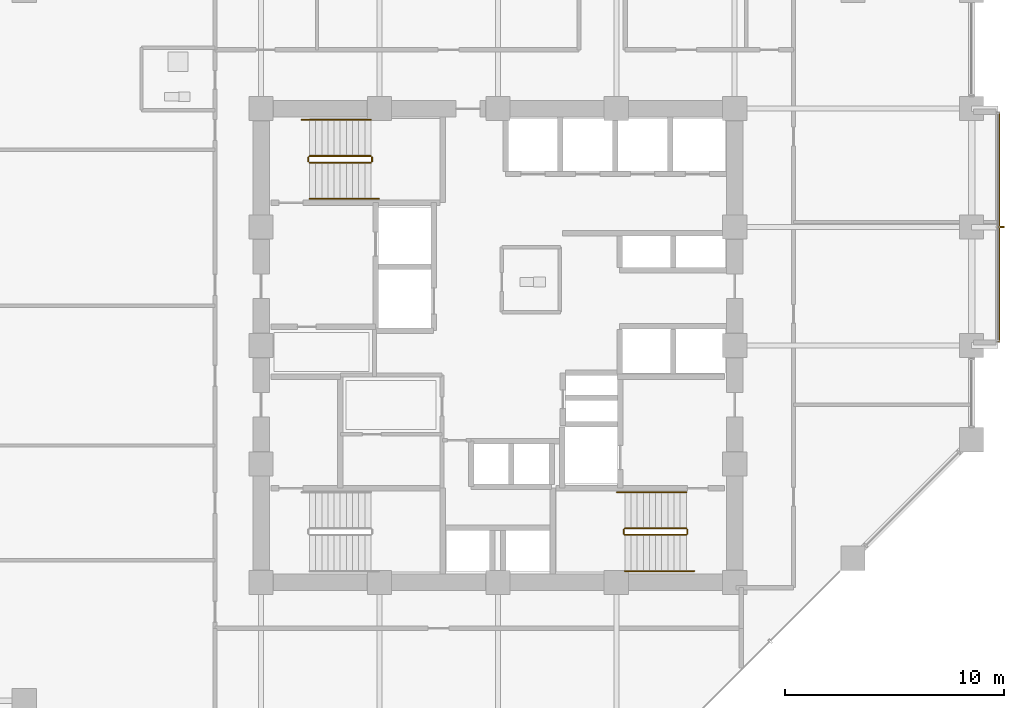
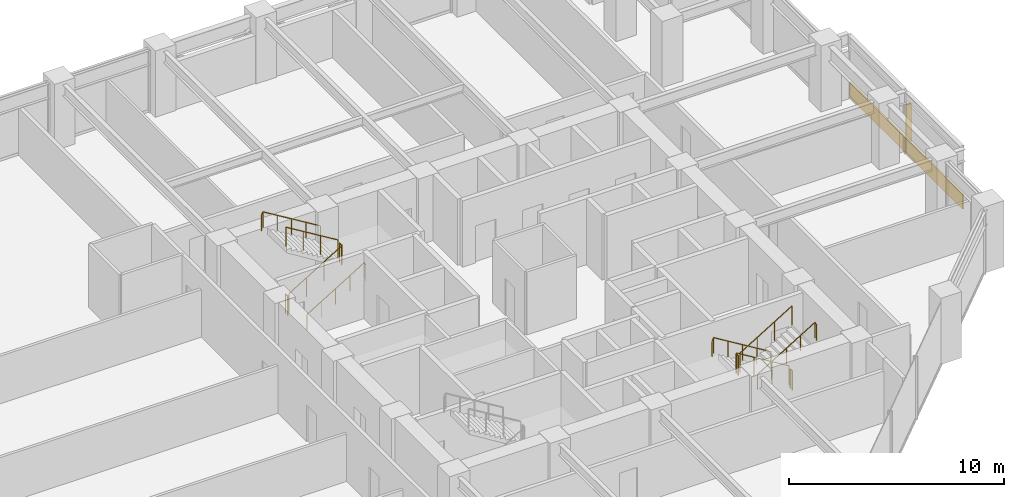
# One storey, part 25 of 26: 12 railings, 1 covering, 1 shading device.
"""IFC4 building model written with IfcOpenShell, lengths in metres."""

from ifc_helpers import new_model, si_unit, direction, frame, origin, origin_2d, place, context, subcontext, project, spatial, rectangle, circle, extrude, material, layer, layer_set, type_object, element, save


model = new_model("IFC4")

# Units and contexts
model_context = context("Model", 3, precision=1e-05, world=origin(), true_north=direction((0.0, 1.0)))
body_context = subcontext(model_context, "Body", "Model", "MODEL_VIEW")
ifc_project = project(units=[si_unit("LENGTHUNIT", "METRE"), si_unit("AREAUNIT", "SQUARE_METRE"), si_unit("VOLUMEUNIT", "CUBIC_METRE"), si_unit("PLANEANGLEUNIT", "RADIAN"), si_unit("MASSUNIT", "GRAM", prefix="KILO")], contexts=[model_context])

# Site, building, storey
site_placement = place(None, origin())
site = spatial("IfcSite", under=ifc_project, at=site_placement, CompositionType="ELEMENT")
building_placement = place(site_placement, origin())
building = spatial("IfcBuilding", under=site, at=building_placement, Name="Surkhivell Harbour Commons", CompositionType="ELEMENT")
storey_placement = place(building_placement, frame((0.0, 0.0, 102.0)))
storey = spatial("IfcBuildingStorey", under=building, at=storey_placement, Name="L26", CompositionType="ELEMENT", Elevation=102.0)

# Covering
ifc_material_1 = material(Name="Cobalt-azure enamelled aluminium cassette panel", Category="aluminium")
ifc_layer = layer(ifc_material_1, 0.072021484375)
ifc_layer_set = layer_set([ifc_layer], Name="Cobalt-azure enamelled aluminium cassette panel")
covering_type = type_object("IfcCoveringType", Name="COV-CLAD-COB", PredefinedType="CLADDING", material=ifc_layer_set)
covering_placement = place(storey_placement, frame((22.840087890625, 5.39990234375, 0.0), z_axis=(0.0, 0.0, 1.0), x_axis=(1.0, 0.0, 0.0)))
element("IfcCovering", 1, at=covering_placement, inside=storey, type_object=covering_type, Name="L26 Coloured-Panel Box Spandrel Cassette 01", PredefinedType="CLADDING", context=body_context, shape_type="SweptSolid", body=[
    extrude(rectangle(XDim=0.080078125, YDim=10.5, at=origin_2d()), origin(), (0.0, 0.0, 1.0), 0.840087890625),
])

# Railings
ifc_material_2 = material(Name="Galvanised and painted steel S355 guard rail", Category="steel")
railing_type_1 = type_object("IfcRailingType", Name="RAL-ST-GRD1100", PredefinedType="GUARDRAIL", material=ifc_material_2)
railing_1_placement = place(storey_placement, frame((-8.590087890625, 8.340087890625, 0.17041015625)))
element("IfcRailing", 2, at=railing_1_placement, inside=storey, type_object=railing_type_1, Name="L26 ST1 stair guard 1", PredefinedType="GUARDRAIL", context=body_context, shape_type="SweptSolid", body=[
    extrude(circle(Radius=0.02392578125, at=origin_2d()), frame((0.0, 0.0, 1.076171875), z_axis=(0.854169791009, 0.0, 0.51999420009), x_axis=(0.0, 1.0, 0.0)), (0.0, 0.0, 1.0), 3.278076171875),
    extrude(circle(Radius=0.02099609375, at=origin_2d()), origin(), (0.0, 0.0, 1.0), 1.052001953125),
    extrude(circle(Radius=0.02099609375, at=origin_2d()), frame((0.933349609375, 0.0, 0.568115234375)), (0.0, 0.0, 1.0), 1.052001953125),
    extrude(circle(Radius=0.02099609375, at=origin_2d()), frame((1.86669921875, 0.0, 1.136474609375)), (0.0, 0.0, 1.0), 1.052001953125),
    extrude(circle(Radius=0.02099609375, at=origin_2d()), frame((2.800048828125, 0.0, 1.70458984375)), (0.0, 0.0, 1.0), 1.052001953125),
])
railing_2_placement = place(storey_placement, frame((-5.739990234375, 8.389892578125, 1.875)))
element("IfcRailing", 3, at=railing_2_placement, inside=storey, type_object=railing_type_1, Name="L26 ST1 stair guard 2", PredefinedType="GUARDRAIL", context=body_context, shape_type="SweptSolid", body=[
    extrude(circle(Radius=0.02392578125, at=origin_2d()), frame((0.0, 0.0, 1.076171875), z_axis=(0.0, 1.0, 0.0), x_axis=(-1.0, 0.0, 0.0)), (0.0, 0.0, 1.0), 0.2001953125),
    extrude(circle(Radius=0.02099609375, at=origin_2d()), origin(), (0.0, 0.0, 1.0), 1.052001953125),
    extrude(circle(Radius=0.02099609375, at=origin_2d()), frame((0.0, 0.2001953125, 0.0)), (0.0, 0.0, 1.0), 1.052001953125),
])
railing_3_placement = place(storey_placement, frame((-5.7900390625, 8.639892578125, 2.04541015625)))
element("IfcRailing", 4, at=railing_3_placement, inside=storey, type_object=railing_type_1, Name="L26 ST1 stair guard 3", PredefinedType="GUARDRAIL", context=body_context, shape_type="SweptSolid", body=[
    extrude(circle(Radius=0.02392578125, at=origin_2d()), frame((0.0, 0.0, 1.076171875), z_axis=(-0.854169791009, 0.0, 0.51999420009), x_axis=(0.0, -1.0, 0.0)), (0.0, 0.0, 1.0), 3.278076171875),
    extrude(circle(Radius=0.02099609375, at=origin_2d()), origin(), (0.0, 0.0, 1.0), 1.052001953125),
    extrude(circle(Radius=0.02099609375, at=origin_2d()), frame((-0.933349609375, 0.0, 0.568115234375)), (0.0, 0.0, 1.0), 1.052001953125),
    extrude(circle(Radius=0.02099609375, at=origin_2d()), frame((-1.86669921875, 0.0, 1.136474609375)), (0.0, 0.0, 1.0), 1.052001953125),
    extrude(circle(Radius=0.02099609375, at=origin_2d()), frame((-2.800048828125, 0.0, 1.70458984375)), (0.0, 0.0, 1.0), 1.052001953125),
])
railing_4_placement = place(storey_placement, frame((-8.639892578125, 8.389892578125, 0.0)))
element("IfcRailing", 5, at=railing_4_placement, inside=storey, type_object=railing_type_1, Name="L26 ST1 stair guard 4", PredefinedType="GUARDRAIL", context=body_context, shape_type="SweptSolid", body=[
    extrude(circle(Radius=0.02392578125, at=origin_2d()), frame((0.0, 0.0, 1.076171875), z_axis=(0.0, 1.0, 0.0), x_axis=(-1.0, 0.0, 0.0)), (0.0, 0.0, 1.0), 0.2001953125),
    extrude(circle(Radius=0.02099609375, at=origin_2d()), origin(), (0.0, 0.0, 1.0), 1.052001953125),
    extrude(circle(Radius=0.02099609375, at=origin_2d()), frame((0.0, 0.2001953125, 0.0)), (0.0, 0.0, 1.0), 1.052001953125),
])
railing_5_placement = place(storey_placement, frame((8.590087890625, -8.340087890625, 0.17041015625)))
element("IfcRailing", 6, at=railing_5_placement, inside=storey, type_object=railing_type_1, Name="L26 ST2 stair guard 1", PredefinedType="GUARDRAIL", context=body_context, shape_type="SweptSolid", body=[
    extrude(circle(Radius=0.02392578125, at=origin_2d()), frame((0.0, 0.0, 1.076171875), z_axis=(-0.854169791009, 0.0, 0.51999420009), x_axis=(0.0, -1.0, 0.0)), (0.0, 0.0, 1.0), 3.278076171875),
    extrude(circle(Radius=0.02099609375, at=origin_2d()), origin(), (0.0, 0.0, 1.0), 1.052001953125),
    extrude(circle(Radius=0.02099609375, at=origin_2d()), frame((-0.933349609375, 0.0, 0.568115234375)), (0.0, 0.0, 1.0), 1.052001953125),
    extrude(circle(Radius=0.02099609375, at=origin_2d()), frame((-1.86669921875, 0.0, 1.136474609375)), (0.0, 0.0, 1.0), 1.052001953125),
    extrude(circle(Radius=0.02099609375, at=origin_2d()), frame((-2.800048828125, 0.0, 1.70458984375)), (0.0, 0.0, 1.0), 1.052001953125),
])
railing_6_placement = place(storey_placement, frame((5.739990234375, -8.389892578125, 1.875)))
element("IfcRailing", 7, at=railing_6_placement, inside=storey, type_object=railing_type_1, Name="L26 ST2 stair guard 2", PredefinedType="GUARDRAIL", context=body_context, shape_type="SweptSolid", body=[
    extrude(circle(Radius=0.02392578125, at=origin_2d()), frame((0.0, 0.0, 1.076171875), z_axis=(0.0, -1.0, 0.0), x_axis=(1.0, 0.0, 0.0)), (0.0, 0.0, 1.0), 0.2001953125),
    extrude(circle(Radius=0.02099609375, at=origin_2d()), origin(), (0.0, 0.0, 1.0), 1.052001953125),
    extrude(circle(Radius=0.02099609375, at=origin_2d()), frame((0.0, -0.2001953125, 0.0)), (0.0, 0.0, 1.0), 1.052001953125),
])
railing_7_placement = place(storey_placement, frame((5.7900390625, -8.639892578125, 2.04541015625)))
element("IfcRailing", 8, at=railing_7_placement, inside=storey, type_object=railing_type_1, Name="L26 ST2 stair guard 3", PredefinedType="GUARDRAIL", context=body_context, shape_type="SweptSolid", body=[
    extrude(circle(Radius=0.02392578125, at=origin_2d()), frame((0.0, 0.0, 1.076171875), z_axis=(0.854169791009, 0.0, 0.51999420009), x_axis=(0.0, 1.0, 0.0)), (0.0, 0.0, 1.0), 3.278076171875),
    extrude(circle(Radius=0.02099609375, at=origin_2d()), origin(), (0.0, 0.0, 1.0), 1.052001953125),
    extrude(circle(Radius=0.02099609375, at=origin_2d()), frame((0.933349609375, 0.0, 0.568115234375)), (0.0, 0.0, 1.0), 1.052001953125),
    extrude(circle(Radius=0.02099609375, at=origin_2d()), frame((1.86669921875, 0.0, 1.136474609375)), (0.0, 0.0, 1.0), 1.052001953125),
    extrude(circle(Radius=0.02099609375, at=origin_2d()), frame((2.800048828125, 0.0, 1.70458984375)), (0.0, 0.0, 1.0), 1.052001953125),
])
railing_8_placement = place(storey_placement, frame((8.639892578125, -8.389892578125, 0.0)))
element("IfcRailing", 9, at=railing_8_placement, inside=storey, type_object=railing_type_1, Name="L26 ST2 stair guard 4", PredefinedType="GUARDRAIL", context=body_context, shape_type="SweptSolid", body=[
    extrude(circle(Radius=0.02392578125, at=origin_2d()), frame((0.0, 0.0, 1.076171875), z_axis=(0.0, -1.0, 0.0), x_axis=(1.0, 0.0, 0.0)), (0.0, 0.0, 1.0), 0.2001953125),
    extrude(circle(Radius=0.02099609375, at=origin_2d()), origin(), (0.0, 0.0, 1.0), 1.052001953125),
    extrude(circle(Radius=0.02099609375, at=origin_2d()), frame((0.0, -0.2001953125, 0.0)), (0.0, 0.0, 1.0), 1.052001953125),
])
ifc_material_3 = material(Name="Brushed stainless steel S355 handrail", Category="steel")
railing_type_2 = type_object("IfcRailingType", Name="RAL-ST-HND900", PredefinedType="HANDRAIL", material=ifc_material_3)
railing_9_placement = place(storey_placement, frame((-8.590087890625, 6.68994140625, 0.17041015625)))
element("IfcRailing", 10, at=railing_9_placement, inside=storey, type_object=railing_type_2, Name="L26 ST1 stair handrail 1", PredefinedType="HANDRAIL", context=body_context, shape_type="SweptSolid", body=[
    extrude(circle(Radius=0.02392578125, at=origin_2d()), frame((0.0, 0.0, 0.8759765625), z_axis=(0.854177636135, 0.0, 0.519981313056), x_axis=(0.0, 1.0, 0.0)), (0.0, 0.0, 1.0), 3.60595703125),
    extrude(circle(Radius=0.02392578125, at=origin_2d()), frame((3.080078125, 0.0, 2.7509765625), z_axis=(0.425297416671, 0.0, -0.905053648892), x_axis=(0.0, 1.0, 0.0)), (0.0, 0.0, 1.0), 0.188232421875),
    extrude(circle(Radius=0.02099609375, at=origin_2d()), origin(), (0.0, 0.0, 1.0), 0.851806640625),
    extrude(circle(Radius=0.02099609375, at=origin_2d()), frame((0.77001953125, 0.0, 0.46875)), (0.0, 0.0, 1.0), 0.851806640625),
    extrude(circle(Radius=0.02099609375, at=origin_2d()), frame((1.5400390625, 0.0, 0.9375)), (0.0, 0.0, 1.0), 0.851806640625),
    extrude(circle(Radius=0.02099609375, at=origin_2d()), frame((2.31005859375, 0.0, 1.40625)), (0.0, 0.0, 1.0), 0.851806640625),
    extrude(circle(Radius=0.02099609375, at=origin_2d()), frame((3.080078125, 0.0, 1.875)), (0.0, 0.0, 1.0), 0.851806640625),
    extrude(circle(Radius=0.02099609375, at=origin_2d()), frame((3.16015625, 0.0, 1.70458984375)), (0.0, 0.0, 1.0), 0.851806640625),
])
railing_10_placement = place(storey_placement, frame((-5.7900390625, 10.2900390625, 2.04541015625)))
element("IfcRailing", 11, at=railing_10_placement, inside=storey, type_object=railing_type_2, Name="L26 ST1 stair handrail 2", PredefinedType="HANDRAIL", context=body_context, shape_type="SweptSolid", body=[
    extrude(circle(Radius=0.02392578125, at=origin_2d()), frame((0.0, 0.0, 0.8759765625), z_axis=(-0.854177636135, 0.0, 0.519981313056), x_axis=(0.0, -1.0, 0.0)), (0.0, 0.0, 1.0), 3.60595703125),
    extrude(circle(Radius=0.02392578125, at=origin_2d()), frame((-3.080078125, 0.0, 2.7509765625), z_axis=(-0.424234432967, 0.0, -0.905552398199), x_axis=(0.0, -1.0, 0.0)), (0.0, 0.0, 1.0), 0.188232421875),
    extrude(circle(Radius=0.02099609375, at=origin_2d()), origin(), (0.0, 0.0, 1.0), 0.851806640625),
    extrude(circle(Radius=0.02099609375, at=origin_2d()), frame((-0.77001953125, 0.0, 0.46875)), (0.0, 0.0, 1.0), 0.851806640625),
    extrude(circle(Radius=0.02099609375, at=origin_2d()), frame((-1.5400390625, 0.0, 0.9375)), (0.0, 0.0, 1.0), 0.851806640625),
    extrude(circle(Radius=0.02099609375, at=origin_2d()), frame((-2.31005859375, 0.0, 1.40625)), (0.0, 0.0, 1.0), 0.851806640625),
    extrude(circle(Radius=0.02099609375, at=origin_2d()), frame((-3.080078125, 0.0, 1.875)), (0.0, 0.0, 1.0), 0.851806640625),
    extrude(circle(Radius=0.02099609375, at=origin_2d()), frame((-3.159912109375, 0.0, 1.70458984375)), (0.0, 0.0, 1.0), 0.851806640625),
])
railing_11_placement = place(storey_placement, frame((8.590087890625, -6.68994140625, 0.17041015625)))
element("IfcRailing", 12, at=railing_11_placement, inside=storey, type_object=railing_type_2, Name="L26 ST2 stair handrail 1", PredefinedType="HANDRAIL", context=body_context, shape_type="SweptSolid", body=[
    extrude(circle(Radius=0.02392578125, at=origin_2d()), frame((0.0, 0.0, 0.8759765625), z_axis=(-0.854177636135, 0.0, 0.519981313056), x_axis=(0.0, -1.0, 0.0)), (0.0, 0.0, 1.0), 3.60595703125),
    extrude(circle(Radius=0.02392578125, at=origin_2d()), frame((-3.080078125, 0.0, 2.7509765625), z_axis=(-0.425297416671, 0.0, -0.905053648892), x_axis=(0.0, -1.0, 0.0)), (0.0, 0.0, 1.0), 0.188232421875),
    extrude(circle(Radius=0.02099609375, at=origin_2d()), origin(), (0.0, 0.0, 1.0), 0.851806640625),
    extrude(circle(Radius=0.02099609375, at=origin_2d()), frame((-0.77001953125, 0.0, 0.46875)), (0.0, 0.0, 1.0), 0.851806640625),
    extrude(circle(Radius=0.02099609375, at=origin_2d()), frame((-1.5400390625, 0.0, 0.9375)), (0.0, 0.0, 1.0), 0.851806640625),
    extrude(circle(Radius=0.02099609375, at=origin_2d()), frame((-2.31005859375, 0.0, 1.40625)), (0.0, 0.0, 1.0), 0.851806640625),
    extrude(circle(Radius=0.02099609375, at=origin_2d()), frame((-3.080078125, 0.0, 1.875)), (0.0, 0.0, 1.0), 0.851806640625),
    extrude(circle(Radius=0.02099609375, at=origin_2d()), frame((-3.16015625, 0.0, 1.70458984375)), (0.0, 0.0, 1.0), 0.851806640625),
])
railing_12_placement = place(storey_placement, frame((5.7900390625, -10.2900390625, 2.04541015625)))
element("IfcRailing", 13, at=railing_12_placement, inside=storey, type_object=railing_type_2, Name="L26 ST2 stair handrail 2", PredefinedType="HANDRAIL", context=body_context, shape_type="SweptSolid", body=[
    extrude(circle(Radius=0.02392578125, at=origin_2d()), frame((0.0, 0.0, 0.8759765625), z_axis=(0.854177636135, 0.0, 0.519981313056), x_axis=(0.0, 1.0, 0.0)), (0.0, 0.0, 1.0), 3.60595703125),
    extrude(circle(Radius=0.02392578125, at=origin_2d()), frame((3.080078125, 0.0, 2.7509765625), z_axis=(0.424234432967, 0.0, -0.905552398199), x_axis=(0.0, 1.0, 0.0)), (0.0, 0.0, 1.0), 0.188232421875),
    extrude(circle(Radius=0.02099609375, at=origin_2d()), origin(), (0.0, 0.0, 1.0), 0.851806640625),
    extrude(circle(Radius=0.02099609375, at=origin_2d()), frame((0.77001953125, 0.0, 0.46875)), (0.0, 0.0, 1.0), 0.851806640625),
    extrude(circle(Radius=0.02099609375, at=origin_2d()), frame((1.5400390625, 0.0, 0.9375)), (0.0, 0.0, 1.0), 0.851806640625),
    extrude(circle(Radius=0.02099609375, at=origin_2d()), frame((2.31005859375, 0.0, 1.40625)), (0.0, 0.0, 1.0), 0.851806640625),
    extrude(circle(Radius=0.02099609375, at=origin_2d()), frame((3.080078125, 0.0, 1.875)), (0.0, 0.0, 1.0), 0.851806640625),
    extrude(circle(Radius=0.02099609375, at=origin_2d()), frame((3.159912109375, 0.0, 1.70458984375)), (0.0, 0.0, 1.0), 0.851806640625),
])

# Shading device
ifc_material_4 = material(Name="Champagne anodised aluminium solar fin", Category="aluminium")
shading_device_type = type_object("IfcShadingDeviceType", Name="SHD-FIN-SLIM", PredefinedType="USERDEFINED", material=ifc_material_4)
shading_device_placement = place(storey_placement, frame((22.93994140625, 5.39990234375, 0.0048828125), z_axis=(0.0, 0.0, 1.0), x_axis=(1.0, 0.0, 0.0)))
element("IfcShadingDevice", 14, at=shading_device_placement, inside=storey, type_object=shading_device_type, Name="L26 Coloured-Box Solar Fin 01", ObjectType="FIN", PredefinedType="USERDEFINED", context=body_context, shape_type="SweptSolid", body=[
    extrude(rectangle(XDim=0.280029296875, YDim=0.080078125, at=origin_2d()), origin(), (0.0, 0.0, 1.0), 2.75),
])

save(model, "model.ifc")
